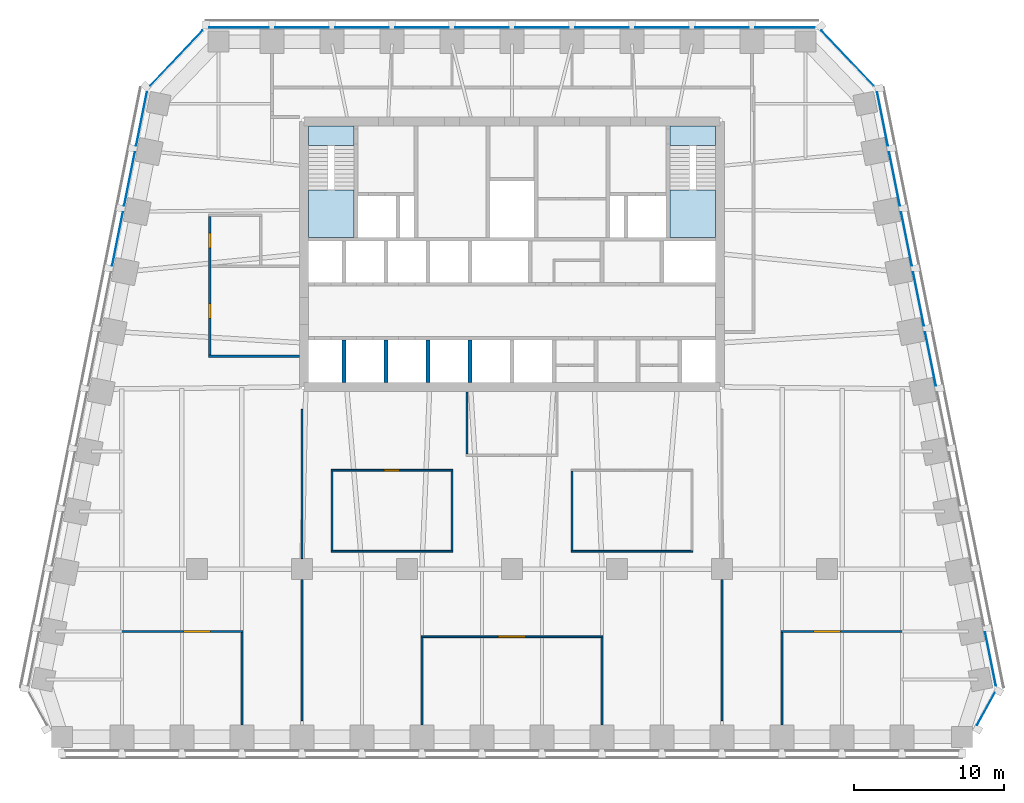
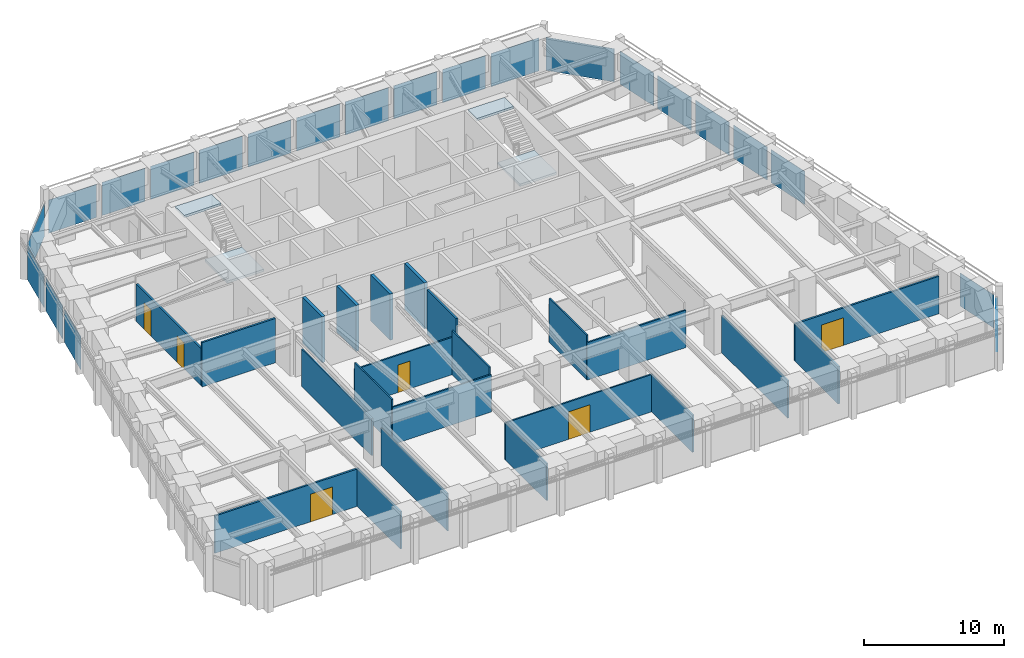
# One storey, part 5 of 10: 23 walls, 22 plates, 6 doors, 4 slabs, 6 openings, 8 elements without a shape of their own.
"""IFC4 building model written with IfcOpenShell, lengths in metres."""

import ifcopenshell
import ifcopenshell.guid

model = None  # the IFC model being written
_history = None  # IfcOwnerHistory: only IFC2X3 demands one
_inside = {}  # id of a spatial element -> (the spatial element, [elements in it])
_under = {}  # id of a project, library or spatial element -> (it, [spatial elements below it])
_declared = {}  # id of a project -> (the project, [libraries it declares])
_typed = {}  # id of a type object -> (the type object, [elements of that type])
_made_of = {}  # id of a material, layer set ... -> (it, [elements and type objects made of it])


def new_model(schema):
    """Start an empty IFC model of exactly this schema.

    Asked for "IFC4X3", IfcOpenShell would pick the latest addendum, in which some entities
    have other attributes; the version numbers below select the first issue.
    IFC2X3 requires an IfcOwnerHistory on every rooted entity: one is made here for all.
    """
    global model, _history
    if schema == "IFC4X3":
        model = ifcopenshell.file(schema_version=(4, 3, 0, 0))
    else:
        model = ifcopenshell.file(schema=schema)
    _inside.clear()
    _under.clear()
    _declared.clear()
    _typed.clear()
    _made_of.clear()
    _history = None
    if model.schema == "IFC2X3":
        org = make("IfcOrganization", Name="unknown")
        user = make(
            "IfcPersonAndOrganization",
            ThePerson=make("IfcPerson", FamilyName="unknown"),
            TheOrganization=org,
        )
        app = make(
            "IfcApplication",
            ApplicationDeveloper=org,
            Version="unknown",
            ApplicationFullName="unknown",
            ApplicationIdentifier="unknown",
        )
        _history = make(
            "IfcOwnerHistory",
            OwningUser=user,
            OwningApplication=app,
            ChangeAction="ADDED",
            CreationDate=0,
        )
    return model


def make(cls, **values):
    """One entity of the class cls with the attributes given. An attribute that is None is left unset."""
    return model.create_entity(
        cls, **{name: value for name, value in values.items() if value is not None}
    )


def rooted(cls, **values):
    """An entity with a GlobalId (a new one), such as an element, a storey or a relation."""
    return make(cls, GlobalId=ifcopenshell.guid.new(), OwnerHistory=_history, **values)


def si_unit(unit_type, name, prefix=None):
    """IfcSIUnit, for example si_unit("LENGTHUNIT", "METRE", prefix="MILLI")."""
    return make("IfcSIUnit", UnitType=unit_type, Prefix=prefix, Name=name)


def assignment(units):
    """IfcUnitAssignment: the units of a project."""
    return None if units is None else make("IfcUnitAssignment", Units=units)


def point(xyz):
    """IfcCartesianPoint."""
    return None if xyz is None else make("IfcCartesianPoint", Coordinates=xyz)


def direction(xyz):
    """IfcDirection."""
    return None if xyz is None else make("IfcDirection", DirectionRatios=xyz)


def frame(location, z_axis=None, x_axis=None):
    """IfcAxis2Placement3D, a coordinate frame: its origin and axes. An axis left out is left unset."""
    return make(
        "IfcAxis2Placement3D",
        Location=point(location),
        Axis=direction(z_axis),
        RefDirection=direction(x_axis),
    )


def frame_2d(location, x_axis=None):
    """IfcAxis2Placement2D, a coordinate frame in the plane: its origin and x axis."""
    return make(
        "IfcAxis2Placement2D", Location=point(location), RefDirection=direction(x_axis)
    )


def origin():
    """The frame at (0, 0, 0) with its axes left unset."""
    return frame((0.0, 0.0, 0.0))


def origin_2d():
    """The frame at (0, 0) in the plane with its x axis left unset."""
    return frame_2d((0.0, 0.0))


def place(relative_to, where):
    """IfcLocalPlacement: puts the frame where relative to a parent placement (None: the world)."""
    return make(
        "IfcLocalPlacement", PlacementRelTo=relative_to, RelativePlacement=where
    )


def context(
    kind, dimensions, precision=None, world=None, true_north=None, identifier=None
):
    """IfcGeometricRepresentationContext, for example the 3D "Model" context."""
    return make(
        "IfcGeometricRepresentationContext",
        ContextIdentifier=identifier,
        ContextType=kind,
        CoordinateSpaceDimension=dimensions,
        Precision=precision,
        WorldCoordinateSystem=world,
        TrueNorth=true_north,
    )


def subcontext(parent, identifier, kind, view, scale=None):
    """IfcGeometricRepresentationSubContext, for example "Body" below "Model"."""
    return make(
        "IfcGeometricRepresentationSubContext",
        ContextIdentifier=identifier,
        ContextType=kind,
        ParentContext=parent,
        TargetScale=scale,
        TargetView=view,
    )


def project(units=None, contexts=None):
    """IfcProject with its units and contexts."""
    return rooted(
        "IfcProject",
        Name="project",
        RepresentationContexts=contexts,
        UnitsInContext=assignment(units),
    )


def spatial(cls, under=None, at=None, **own):
    """A site, building, storey or space (cls), placed at a placement, below another one or the project."""
    s = rooted(cls, ObjectPlacement=at, **own)
    if under is not None:
        _under.setdefault(under.id(), (under, []))[1].append(s)
    return s


def polyline(points):
    """IfcPolyline through the points."""
    return make("IfcPolyline", Points=[point(p) for p in points])


def profile(cls, at=None, kind="AREA", **sizes):
    """A parametric profile (cls). Its sizes go by their IFC names, for example OverallWidth=200.0."""
    return make(cls, ProfileType=kind, Position=at, **sizes)


def rectangle(**sizes):
    """IfcRectangleProfileDef."""
    return profile("IfcRectangleProfileDef", **sizes)


def outline(outer, holes=None, kind="AREA"):
    """IfcArbitraryClosedProfileDef: a profile drawn as a closed curve; with holes, ...WithVoids."""
    if holes is None:
        return make("IfcArbitraryClosedProfileDef", ProfileType=kind, OuterCurve=outer)
    return make(
        "IfcArbitraryProfileDefWithVoids",
        ProfileType=kind,
        OuterCurve=outer,
        InnerCurves=holes,
    )


def extrude(swept, where, along, depth):
    """IfcExtrudedAreaSolid: the profile swept, set in the frame where, extruded along a direction by depth."""
    return make(
        "IfcExtrudedAreaSolid",
        SweptArea=swept,
        Position=where,
        ExtrudedDirection=direction(along),
        Depth=depth,
    )


def shape(context_of_items, identifier, shape_type, items):
    """IfcShapeRepresentation: the items that make up one representation, for example the "Body"."""
    return make(
        "IfcShapeRepresentation",
        ContextOfItems=context_of_items,
        RepresentationIdentifier=identifier,
        RepresentationType=shape_type,
        Items=items,
    )


def material(Name=None, Category=None):
    """IfcMaterial."""
    return make("IfcMaterial", Name=Name, Category=Category)


def layer(
    of_material, thickness, ventilated=None, Name=None, Category=None, Priority=None
):
    """IfcMaterialLayer: one layer of a wall or slab, of a material (None: an air gap)."""
    return make(
        "IfcMaterialLayer",
        Material=of_material,
        LayerThickness=thickness,
        IsVentilated=ventilated,
        Name=Name,
        Category=Category,
        Priority=Priority,
    )


def layer_set(layers, Name=None):
    """IfcMaterialLayerSet."""
    return make("IfcMaterialLayerSet", MaterialLayers=layers, LayerSetName=Name)


def made_of(thing, what):
    """Note that an element or type object is made of a material, layer set ...; save() writes the relation."""
    if what is not None:
        _made_of.setdefault(what.id(), (what, []))[1].append(thing)
    return thing


def type_object(cls, material=None, **own):
    """A type object (cls), such as IfcWallType, which elements share."""
    return made_of(rooted(cls, **own), material)


def element(
    cls,
    number,
    at=None,
    inside=None,
    cuts=None,
    type_object=None,
    material=None,
    context=None,
    identifier="Body",
    shape_type=None,
    held_by="IfcProductDefinitionShape",
    body=None,
    shapes=None,
    **own,
):
    """One element of the class cls, such as IfcWall. Its Tag is "e" and its number.

    at: its placement. inside: the storey or other place that contains it. cuts: it is an
    opening in that element (IfcRelVoidsElement). A single representation is given by context,
    identifier, shape_type and body (its items); several are given by shapes. held_by: the class
    of the entity that holds the representations. save() writes the other relations.
    """
    e = rooted(cls, Tag="e%d" % number, ObjectPlacement=at, **own)
    if body is not None:
        shapes = [shape(context, identifier, shape_type, body)]
    if shapes is not None:
        e.Representation = make(held_by, Representations=shapes)
    if inside is not None:
        _inside.setdefault(inside.id(), (inside, []))[1].append(e)
    if cuts is not None:
        rooted(
            "IfcRelVoidsElement", RelatingBuildingElement=cuts, RelatedOpeningElement=e
        )
    if type_object is not None:
        _typed.setdefault(type_object.id(), (type_object, []))[1].append(e)
    return made_of(e, material)


def fill(opening, filler):
    """IfcRelFillsElement: the door or window that sits in an opening."""
    return rooted(
        "IfcRelFillsElement",
        RelatingOpeningElement=opening,
        RelatedBuildingElement=filler,
    )


def aggregate(whole, parts):
    """IfcRelAggregates: a whole, such as a stair, and the parts it consists of."""
    return rooted("IfcRelAggregates", RelatingObject=whole, RelatedObjects=parts)


def save(model, path):
    """Write the relations noted so far, then the file.

    IfcRelAggregates (storeys below a building ...), IfcRelContainedInSpatialStructure (elements
    in a storey), IfcRelDefinesByType, IfcRelAssociatesMaterial and IfcRelDeclares: one each for
    every whole, place, type object, material and project.
    """
    for whole, parts in _under.values():
        aggregate(whole, parts)
    for where, things in _inside.values():
        rooted(
            "IfcRelContainedInSpatialStructure",
            RelatedElements=things,
            RelatingStructure=where,
        )
    for kind, things in _typed.values():
        rooted("IfcRelDefinesByType", RelatedObjects=things, RelatingType=kind)
    for what, things in _made_of.values():
        rooted("IfcRelAssociatesMaterial", RelatedObjects=things, RelatingMaterial=what)
    for by, libraries in _declared.values():
        rooted("IfcRelDeclares", RelatingContext=by, RelatedDefinitions=libraries)
    model.write(path)


model = new_model("IFC4")

# Units and contexts
model_context = context("Model", 3, precision=1e-05, world=origin(), true_north=direction((0.0, 1.0)))
body_context = subcontext(model_context, "Body", "Model", "MODEL_VIEW")
ifc_project = project(units=[si_unit("LENGTHUNIT", "METRE"), si_unit("AREAUNIT", "SQUARE_METRE"), si_unit("VOLUMEUNIT", "CUBIC_METRE"), si_unit("PLANEANGLEUNIT", "RADIAN"), si_unit("MASSUNIT", "GRAM", prefix="KILO")], contexts=[model_context])

# Site, building, storey
site_placement = place(None, origin())
site = spatial("IfcSite", under=ifc_project, at=site_placement, CompositionType="ELEMENT")
building_placement = place(site_placement, origin())
building = spatial("IfcBuilding", under=site, at=building_placement, Name="Isbrekke Arena Tower", CompositionType="ELEMENT")
storey_placement = place(building_placement, frame((0.0, 0.0, 234.0)))
storey = spatial("IfcBuildingStorey", under=building, at=storey_placement, Name="L54", CompositionType="ELEMENT", Elevation=234.0)

# Curtain wall, plate
ifc_material_1 = material(Name="Glazed aluminium curtain wall", Category="aluminium")
curtain_wall_type = type_object("IfcCurtainWallType", Name="CWH TOWER CURTAIN WALL HIGH ZONE", PredefinedType="USERDEFINED", material=ifc_material_1)
curtain_wall_1_placement = place(storey_placement, origin())
curtain_wall_1 = element("IfcCurtainWall", 1, at=curtain_wall_1_placement, inside=storey, type_object=curtain_wall_type, Name="CWH curtain wall L54-SE", ObjectType="TOWER CURTAIN WALL HIGH ZONE", PredefinedType="USERDEFINED")
ifc_material_2 = material(Name="Triple-glazed clear glass unit", Category="glass")
ifc_layer_1 = layer(ifc_material_2, 0.031982421875)
ifc_layer_set_1 = layer_set([ifc_layer_1], Name="CWH-P VISION PANEL")
plate_type = type_object("IfcPlateType", Name="CWH-P VISION PANEL", PredefinedType="CURTAIN_PANEL", material=ifc_layer_set_1)
plate_1_placement = place(storey_placement, frame((31.5908203125, -15.3154296875, 0.02001953125), z_axis=(0.0, 0.0, 1.0), x_axis=(0.481918749773, 0.876215908676, 0.0)))
plate_1 = element("IfcPlate", 2, at=plate_1_placement, type_object=plate_type, Name="CWH-P panel 1", PredefinedType="CURTAIN_PANEL", context=body_context, shape_type="SweptSolid", body=[
    extrude(rectangle(XDim=2.4423828125, YDim=0.031982421875, at=origin_2d()), origin(), (0.0, 0.0, 1.0), 2.8798828125),
])
aggregate(curtain_wall_1, [plate_1])

# Curtain wall, plates
curtain_wall_2_placement = place(storey_placement, origin())
curtain_wall_2 = element("IfcCurtainWall", 3, at=curtain_wall_2_placement, inside=storey, type_object=curtain_wall_type, Name="CWH curtain wall L54-E", ObjectType="TOWER CURTAIN WALL HIGH ZONE", PredefinedType="USERDEFINED")
plate_2_placement = place(storey_placement, frame((31.89794921875, -11.98046875, 0.02001953125), z_axis=(0.0, 0.0, 1.0), x_axis=(-0.196116135138, 0.980580675691, 0.0)))
plate_2 = element("IfcPlate", 4, at=plate_2_placement, type_object=plate_type, Name="CWH-P panel 1", PredefinedType="CURTAIN_PANEL", context=body_context, shape_type="SweptSolid", body=[
    extrude(rectangle(XDim=3.629150390625, YDim=0.031982421875, at=origin_2d()), origin(), (0.0, 0.0, 1.0), 2.8798828125),
])
plate_3_placement = place(storey_placement, frame((27.89794921875, 8.01953125, 0.02001953125), z_axis=(0.0, 0.0, 1.0), x_axis=(-0.196116135138, 0.980580675691, 0.0)))
plate_3 = element("IfcPlate", 5, at=plate_3_placement, type_object=plate_type, Name="CWH-P panel 6", PredefinedType="CURTAIN_PANEL", context=body_context, shape_type="SweptSolid", body=[
    extrude(rectangle(XDim=3.629150390625, YDim=0.031982421875, at=origin_2d()), origin(), (0.0, 0.0, 1.0), 2.8798828125),
])
plate_4_placement = place(storey_placement, frame((27.09814453125, 12.01953125, 0.02001953125), z_axis=(0.0, 0.0, 1.0), x_axis=(-0.196116135138, 0.980580675691, 0.0)))
plate_4 = element("IfcPlate", 6, at=plate_4_placement, type_object=plate_type, Name="CWH-P panel 7", PredefinedType="CURTAIN_PANEL", context=body_context, shape_type="SweptSolid", body=[
    extrude(rectangle(XDim=3.629150390625, YDim=0.031982421875, at=origin_2d()), origin(), (0.0, 0.0, 1.0), 2.8798828125),
])
plate_5_placement = place(storey_placement, frame((26.298095703125, 16.01953125, 0.02001953125), z_axis=(0.0, 0.0, 1.0), x_axis=(-0.196116135138, 0.980580675691, 0.0)))
plate_5 = element("IfcPlate", 7, at=plate_5_placement, type_object=plate_type, Name="CWH-P panel 8", PredefinedType="CURTAIN_PANEL", context=body_context, shape_type="SweptSolid", body=[
    extrude(rectangle(XDim=3.629150390625, YDim=0.031982421875, at=origin_2d()), origin(), (0.0, 0.0, 1.0), 2.8798828125),
])
plate_6_placement = place(storey_placement, frame((25.498046875, 20.01953125, 0.02001953125), z_axis=(0.0, 0.0, 1.0), x_axis=(-0.196116135138, 0.980580675691, 0.0)))
plate_6 = element("IfcPlate", 8, at=plate_6_placement, type_object=plate_type, Name="CWH-P panel 9", PredefinedType="CURTAIN_PANEL", context=body_context, shape_type="SweptSolid", body=[
    extrude(rectangle(XDim=3.629150390625, YDim=0.031982421875, at=origin_2d()), origin(), (0.0, 0.0, 1.0), 2.8798828125),
])
plate_7_placement = place(storey_placement, frame((24.697998046875, 24.01953125, 0.02001953125), z_axis=(0.0, 0.0, 1.0), x_axis=(-0.196116135138, 0.980580675691, 0.0)))
plate_7 = element("IfcPlate", 9, at=plate_7_placement, type_object=plate_type, Name="CWH-P panel 10", PredefinedType="CURTAIN_PANEL", context=body_context, shape_type="SweptSolid", body=[
    extrude(rectangle(XDim=3.629150390625, YDim=0.031982421875, at=origin_2d()), origin(), (0.0, 0.0, 1.0), 2.8798828125),
])
aggregate(curtain_wall_2, [plate_2, plate_3, plate_4, plate_5, plate_6, plate_7])

# Curtain wall, plate
curtain_wall_3_placement = place(storey_placement, origin())
curtain_wall_3 = element("IfcCurtainWall", 10, at=curtain_wall_3_placement, inside=storey, type_object=curtain_wall_type, Name="CWH curtain wall L54-EN", ObjectType="TOWER CURTAIN WALL HIGH ZONE", PredefinedType="USERDEFINED")
plate_8_placement = place(storey_placement, frame((22.37255859375, 28.06884765625, 0.02001953125), z_axis=(0.0, 0.0, 1.0), x_axis=(-0.68874946192, 0.72499943359, 0.0)))
plate_8 = element("IfcPlate", 11, at=plate_8_placement, type_object=plate_type, Name="CWH-P panel 1", PredefinedType="CURTAIN_PANEL", context=body_context, shape_type="SweptSolid", body=[
    extrude(rectangle(XDim=5.067138671875, YDim=0.031982421875, at=origin_2d()), origin(), (0.0, 0.0, 1.0), 2.8798828125),
])
aggregate(curtain_wall_3, [plate_8])

# Curtain wall, plates
curtain_wall_4_placement = place(storey_placement, origin())
curtain_wall_4 = element("IfcCurtainWall", 12, at=curtain_wall_4_placement, inside=storey, type_object=curtain_wall_type, Name="CWH curtain wall L54-N", ObjectType="TOWER CURTAIN WALL HIGH ZONE", PredefinedType="USERDEFINED")
plate_9_placement = place(storey_placement, frame((18.199951171875, 30.10009765625, 0.02001953125), z_axis=(0.0, 0.0, 1.0), x_axis=(-1.0, 0.0, 0.0)))
plate_9 = element("IfcPlate", 13, at=plate_9_placement, type_object=plate_type, Name="CWH-P panel 1", PredefinedType="CURTAIN_PANEL", context=body_context, shape_type="SweptSolid", body=[
    extrude(rectangle(XDim=3.949951171875, YDim=0.031982421875, at=origin_2d()), origin(), (0.0, 0.0, 1.0), 2.8798828125),
])
plate_10_placement = place(storey_placement, frame((14.0, 30.10009765625, 0.02001953125), z_axis=(0.0, 0.0, 1.0), x_axis=(-1.0, 0.0, 0.0)))
plate_10 = element("IfcPlate", 14, at=plate_10_placement, type_object=plate_type, Name="CWH-P panel 2", PredefinedType="CURTAIN_PANEL", context=body_context, shape_type="SweptSolid", body=[
    extrude(rectangle(XDim=3.550048828125, YDim=0.031982421875, at=origin_2d()), origin(), (0.0, 0.0, 1.0), 2.8798828125),
])
plate_11_placement = place(storey_placement, frame((10.0, 30.10009765625, 0.02001953125), z_axis=(0.0, 0.0, 1.0), x_axis=(-1.0, 0.0, 0.0)))
plate_11 = element("IfcPlate", 15, at=plate_11_placement, type_object=plate_type, Name="CWH-P panel 3", PredefinedType="CURTAIN_PANEL", context=body_context, shape_type="SweptSolid", body=[
    extrude(rectangle(XDim=3.550048828125, YDim=0.031982421875, at=origin_2d()), origin(), (0.0, 0.0, 1.0), 2.8798828125),
])
plate_12_placement = place(storey_placement, frame((6.0, 30.10009765625, 0.02001953125), z_axis=(0.0, 0.0, 1.0), x_axis=(-1.0, 0.0, 0.0)))
plate_12 = element("IfcPlate", 16, at=plate_12_placement, type_object=plate_type, Name="CWH-P panel 4", PredefinedType="CURTAIN_PANEL", context=body_context, shape_type="SweptSolid", body=[
    extrude(rectangle(XDim=3.550048828125, YDim=0.031982421875, at=origin_2d()), origin(), (0.0, 0.0, 1.0), 2.8798828125),
])
plate_13_placement = place(storey_placement, frame((2.0, 30.10009765625, 0.02001953125), z_axis=(0.0, 0.0, 1.0), x_axis=(-1.0, 0.0, 0.0)))
plate_13 = element("IfcPlate", 17, at=plate_13_placement, type_object=plate_type, Name="CWH-P panel 5", PredefinedType="CURTAIN_PANEL", context=body_context, shape_type="SweptSolid", body=[
    extrude(rectangle(XDim=3.550048828125, YDim=0.031982421875, at=origin_2d()), origin(), (0.0, 0.0, 1.0), 2.8798828125),
])
plate_14_placement = place(storey_placement, frame((-2.0, 30.10009765625, 0.02001953125), z_axis=(0.0, 0.0, 1.0), x_axis=(-1.0, 0.0, 0.0)))
plate_14 = element("IfcPlate", 18, at=plate_14_placement, type_object=plate_type, Name="CWH-P panel 6", PredefinedType="CURTAIN_PANEL", context=body_context, shape_type="SweptSolid", body=[
    extrude(rectangle(XDim=3.550048828125, YDim=0.031982421875, at=origin_2d()), origin(), (0.0, 0.0, 1.0), 2.8798828125),
])
plate_15_placement = place(storey_placement, frame((-6.0, 30.10009765625, 0.02001953125), z_axis=(0.0, 0.0, 1.0), x_axis=(-1.0, 0.0, 0.0)))
plate_15 = element("IfcPlate", 19, at=plate_15_placement, type_object=plate_type, Name="CWH-P panel 7", PredefinedType="CURTAIN_PANEL", context=body_context, shape_type="SweptSolid", body=[
    extrude(rectangle(XDim=3.550048828125, YDim=0.031982421875, at=origin_2d()), origin(), (0.0, 0.0, 1.0), 2.8798828125),
])
plate_16_placement = place(storey_placement, frame((-10.0, 30.10009765625, 0.02001953125), z_axis=(0.0, 0.0, 1.0), x_axis=(-1.0, 0.0, 0.0)))
plate_16 = element("IfcPlate", 20, at=plate_16_placement, type_object=plate_type, Name="CWH-P panel 8", PredefinedType="CURTAIN_PANEL", context=body_context, shape_type="SweptSolid", body=[
    extrude(rectangle(XDim=3.550048828125, YDim=0.031982421875, at=origin_2d()), origin(), (0.0, 0.0, 1.0), 2.8798828125),
])
plate_17_placement = place(storey_placement, frame((-14.0, 30.10009765625, 0.02001953125), z_axis=(0.0, 0.0, 1.0), x_axis=(-1.0, 0.0, 0.0)))
plate_17 = element("IfcPlate", 21, at=plate_17_placement, type_object=plate_type, Name="CWH-P panel 9", PredefinedType="CURTAIN_PANEL", context=body_context, shape_type="SweptSolid", body=[
    extrude(rectangle(XDim=3.550048828125, YDim=0.031982421875, at=origin_2d()), origin(), (0.0, 0.0, 1.0), 2.8798828125),
])
plate_18_placement = place(storey_placement, frame((-18.199951171875, 30.10009765625, 0.02001953125), z_axis=(0.0, 0.0, 1.0), x_axis=(-1.0, 0.0, 0.0)))
plate_18 = element("IfcPlate", 22, at=plate_18_placement, type_object=plate_type, Name="CWH-P panel 10", PredefinedType="CURTAIN_PANEL", context=body_context, shape_type="SweptSolid", body=[
    extrude(rectangle(XDim=3.949951171875, YDim=0.031982421875, at=origin_2d()), origin(), (0.0, 0.0, 1.0), 2.8798828125),
])
aggregate(curtain_wall_4, [plate_9, plate_10, plate_11, plate_12, plate_13, plate_14, plate_15, plate_16, plate_17, plate_18])

# Curtain wall, plate
curtain_wall_5_placement = place(storey_placement, origin())
curtain_wall_5 = element("IfcCurtainWall", 23, at=curtain_wall_5_placement, inside=storey, type_object=curtain_wall_type, Name="CWH curtain wall L54-NW", ObjectType="TOWER CURTAIN WALL HIGH ZONE", PredefinedType="USERDEFINED")
plate_19_placement = place(storey_placement, frame((-22.37255859375, 28.06884765625, 0.02001953125), z_axis=(0.0, 0.0, 1.0), x_axis=(-0.68874946192, -0.72499943359, 0.0)))
plate_19 = element("IfcPlate", 24, at=plate_19_placement, type_object=plate_type, Name="CWH-P panel 1", PredefinedType="CURTAIN_PANEL", context=body_context, shape_type="SweptSolid", body=[
    extrude(rectangle(XDim=5.067138671875, YDim=0.031982421875, at=origin_2d()), origin(), (0.0, 0.0, 1.0), 2.8798828125),
])
aggregate(curtain_wall_5, [plate_19])

# Curtain wall, plates
curtain_wall_6_placement = place(storey_placement, origin())
curtain_wall_6 = element("IfcCurtainWall", 25, at=curtain_wall_6_placement, inside=storey, type_object=curtain_wall_type, Name="CWH curtain wall L54-W", ObjectType="TOWER CURTAIN WALL HIGH ZONE", PredefinedType="USERDEFINED")
plate_20_placement = place(storey_placement, frame((-24.697998046875, 24.01953125, 0.02001953125), z_axis=(0.0, 0.0, 1.0), x_axis=(-0.196116135138, -0.980580675691, 0.0)))
plate_20 = element("IfcPlate", 26, at=plate_20_placement, type_object=plate_type, Name="CWH-P panel 1", PredefinedType="CURTAIN_PANEL", context=body_context, shape_type="SweptSolid", body=[
    extrude(rectangle(XDim=3.629150390625, YDim=0.031982421875, at=origin_2d()), origin(), (0.0, 0.0, 1.0), 2.8798828125),
])
plate_21_placement = place(storey_placement, frame((-25.498046875, 20.01953125, 0.02001953125), z_axis=(0.0, 0.0, 1.0), x_axis=(-0.196116135138, -0.980580675691, 0.0)))
plate_21 = element("IfcPlate", 27, at=plate_21_placement, type_object=plate_type, Name="CWH-P panel 2", PredefinedType="CURTAIN_PANEL", context=body_context, shape_type="SweptSolid", body=[
    extrude(rectangle(XDim=3.629150390625, YDim=0.031982421875, at=origin_2d()), origin(), (0.0, 0.0, 1.0), 2.8798828125),
])
plate_22_placement = place(storey_placement, frame((-26.298095703125, 16.01953125, 0.02001953125), z_axis=(0.0, 0.0, 1.0), x_axis=(-0.196116135138, -0.980580675691, 0.0)))
plate_22 = element("IfcPlate", 28, at=plate_22_placement, type_object=plate_type, Name="CWH-P panel 3", PredefinedType="CURTAIN_PANEL", context=body_context, shape_type="SweptSolid", body=[
    extrude(rectangle(XDim=3.629150390625, YDim=0.031982421875, at=origin_2d()), origin(), (0.0, 0.0, 1.0), 2.8798828125),
])
aggregate(curtain_wall_6, [plate_20, plate_21, plate_22])

# Stair, slabs
ifc_material_3 = material(Name="Concrete B45 (C45/55) precast", Category="concrete")
stair_type = type_object("IfcStairType", Name="ST40 STAIR 1300 WIDE, 24 RISERS 167", PredefinedType="HALF_TURN_STAIR", material=ifc_material_3)
stair_1_placement = place(storey_placement, origin())
stair_1 = element("IfcStair", 29, at=stair_1_placement, inside=storey, type_object=stair_type, Name="ST1 stair L54", PredefinedType="HALF_TURN_STAIR")
ifc_material_4 = material(Name="Concrete B35 (C35/45)", Category="concrete")
ifc_layer_2 = layer(ifc_material_4, 0.199951171875)
ifc_layer_set_2 = layer_set([ifc_layer_2], Name="SL1 STAIR LANDING 200")
slab_type = type_object("IfcSlabType", Name="SL1 STAIR LANDING 200", PredefinedType="LANDING", material=ifc_layer_set_2)
slab_1_placement = place(storey_placement, frame((0.0, 0.0, 1.800048828125)))
slab_1 = element("IfcSlab", 30, at=slab_1_placement, type_object=slab_type, Name="ST1 landing 1", PredefinedType="LANDING", context=body_context, shape_type="SweptSolid", body=[
    extrude(outline(polyline([(-13.550048828125, 16.125), (-10.52490234375, 16.125), (-10.52490234375, 19.280029296875), (-13.550048828125, 19.280029296875), (-13.550048828125, 16.125)])), origin(), (0.0, 0.0, 1.0), 0.199951171875),
])
slab_2_placement = place(storey_placement, frame((0.0, 0.0, 3.800048828125)))
slab_2 = element("IfcSlab", 31, at=slab_2_placement, type_object=slab_type, Name="ST1 landing 2", PredefinedType="LANDING", context=body_context, shape_type="SweptSolid", body=[
    extrude(outline(polyline([(-13.550048828125, 22.25), (-10.52490234375, 22.25), (-10.52490234375, 23.550048828125), (-13.550048828125, 23.550048828125), (-13.550048828125, 22.25)])), origin(), (0.0, 0.0, 1.0), 0.199951171875),
])
aggregate(stair_1, [slab_1, slab_2])

stair_2_placement = place(storey_placement, origin())
stair_2 = element("IfcStair", 32, at=stair_2_placement, inside=storey, type_object=stair_type, Name="ST2 stair L54", PredefinedType="HALF_TURN_STAIR")
slab_3_placement = place(storey_placement, frame((0.0, 0.0, 1.800048828125)))
slab_3 = element("IfcSlab", 33, at=slab_3_placement, type_object=slab_type, Name="ST2 landing 1", PredefinedType="LANDING", context=body_context, shape_type="SweptSolid", body=[
    extrude(outline(polyline([(10.52490234375, 16.125), (13.550048828125, 16.125), (13.550048828125, 19.280029296875), (10.52490234375, 19.280029296875), (10.52490234375, 16.125)])), origin(), (0.0, 0.0, 1.0), 0.199951171875),
])
slab_4_placement = place(storey_placement, frame((0.0, 0.0, 3.800048828125)))
slab_4 = element("IfcSlab", 34, at=slab_4_placement, type_object=slab_type, Name="ST2 landing 2", PredefinedType="LANDING", context=body_context, shape_type="SweptSolid", body=[
    extrude(outline(polyline([(10.52490234375, 22.25), (13.550048828125, 22.25), (13.550048828125, 23.550048828125), (10.52490234375, 23.550048828125), (10.52490234375, 22.25)])), origin(), (0.0, 0.0, 1.0), 0.199951171875),
])
aggregate(stair_2, [slab_3, slab_4])

# Walls
ifc_material_5 = material(Name="Concrete B45 (C45/55)", Category="concrete")
ifc_layer_3 = layer(ifc_material_5, 0.25)
ifc_layer_set_3 = layer_set([ifc_layer_3], Name="CW6 SHAFT WALL 250")
wall_type_1 = type_object("IfcWallType", Name="CW6 SHAFT WALL 250", PredefinedType="SHEAR", material=ifc_layer_set_3)
for number, where, z_axis, x_axis, name in (
    (35, (-11.199951171875, 6.449951171875, 0.0), (0.0, 0.0, 1.0), (0.0, 1.0, 0.0), "Core wall SS01 L54"),
    (36, (-8.39990234375, 6.449951171875, 0.0), (0.0, 0.0, 1.0), (0.0, 1.0, 0.0), "Core wall SS02 L54"),
    (37, (-5.60009765625, 6.449951171875, 0.0), (0.0, 0.0, 1.0), (0.0, 1.0, 0.0), "Core wall SS03 L54"),
    (38, (-2.800048828125, 6.449951171875, 0.0), (0.0, 0.0, 1.0), (0.0, 1.0, 0.0), "Core wall SS04 L54"),
):
    element("IfcWall", number, at=place(storey_placement, frame(where, z_axis=z_axis, x_axis=x_axis)), inside=storey, type_object=wall_type_1, Name=name, PredefinedType="SHEAR", context=body_context, shape_type="SweptSolid", body=[
        extrude(rectangle(XDim=2.824951171875, YDim=0.25, at=frame_2d((1.41259765625, 0.0))), origin(), (0.0, 0.0, 1.0), 4.0),
    ])

# Wall, opening, door
ifc_material_6 = material(Name="Gypsum board partition on steel studs", Category="steel")
ifc_layer_4 = layer(ifc_material_6, 0.14990234375)
ifc_layer_set_4 = layer_set([ifc_layer_4], Name="IW1 PARTITION 150")
wall_type_2 = type_object("IfcWallType", Name="IW1 PARTITION 150", PredefinedType="PARTITIONING", material=ifc_layer_set_4)
wall_1_placement = place(storey_placement, frame((-29.77490234375, -10.159912109375, 0.0), z_axis=(0.0, 0.0, 1.0), x_axis=(1.0, 0.0, 0.0)))
wall_1 = element("IfcWall", 39, at=wall_1_placement, inside=storey, type_object=wall_type_2, Name="IW1 partition 150 L54", PredefinedType="PARTITIONING", context=body_context, shape_type="SweptSolid", body=[
    extrude(rectangle(XDim=11.849853515625, YDim=0.14990234375, at=frame_2d((5.9248046875, 0.0))), origin(), (0.0, 0.0, 1.0), 3.25),
])
opening_1_placement = place(wall_1_placement, frame((7.874755859375, 0.0, 0.0)))
opening_1 = element("IfcOpeningElement", 40, at=opening_1_placement, cuts=wall_1, Name="Opening D13", PredefinedType="OPENING", context=body_context, shape_type="SweptSolid", body=[
    extrude(rectangle(XDim=1.800048828125, YDim=2.39990234375, at=frame_2d((0.89990234375, 1.199951171875))), frame((0.0, 0.08984375, 0.0), z_axis=(0.0, -1.0, 0.0), x_axis=(1.0, 0.0, 0.0)), (0.0, 0.0, 1.0), 0.1796875),
])
ifc_material_7 = material(Name="Timber door pair", Category="wood")
door_type_1 = type_object("IfcDoorType", Name="D13 DOUBLE ROOM DOOR 1800 x 2400", OperationType="DOUBLE_DOOR_SINGLE_SWING", PredefinedType="DOOR", material=ifc_material_7)
door_1_placement = place(opening_1_placement, origin())
door_1 = element("IfcDoor", 41, at=door_1_placement, inside=storey, type_object=door_type_1, Name="D13 executive office door L54", OperationType="DOUBLE_DOOR_SINGLE_SWING", OverallHeight=2.39990234375, OverallWidth=1.800048828125, PredefinedType="DOOR", context=body_context, shape_type="SweptSolid", body=[
    extrude(rectangle(XDim=1.800048828125, YDim=2.39990234375, at=frame_2d((0.89990234375, 1.199951171875))), frame((0.0, 0.07470703125, 0.0), z_axis=(0.0, -1.0, 0.0), x_axis=(1.0, 0.0, 0.0)), (0.0, 0.0, 1.0), 0.1494140625),
])
fill(opening_1, door_1)

wall_2_placement = place(storey_placement, frame((17.925048828125, -10.159912109375, 0.0), z_axis=(0.0, 0.0, 1.0), x_axis=(1.0, 0.0, 0.0)))
wall_2 = element("IfcWall", 42, at=wall_2_placement, inside=storey, type_object=wall_type_2, Name="IW1 partition 150 L54", PredefinedType="PARTITIONING", context=body_context, shape_type="SweptSolid", body=[
    extrude(rectangle(XDim=11.849853515625, YDim=0.14990234375, at=frame_2d((5.9248046875, 0.0))), origin(), (0.0, 0.0, 1.0), 3.25),
])
opening_2_placement = place(wall_2_placement, frame((2.175048828125, 0.0, 0.0)))
opening_2 = element("IfcOpeningElement", 43, at=opening_2_placement, cuts=wall_2, Name="Opening D13", PredefinedType="OPENING", context=body_context, shape_type="SweptSolid", body=[
    extrude(rectangle(XDim=1.800048828125, YDim=2.39990234375, at=frame_2d((0.89990234375, 1.199951171875))), frame((0.0, 0.08984375, 0.0), z_axis=(0.0, -1.0, 0.0), x_axis=(1.0, 0.0, 0.0)), (0.0, 0.0, 1.0), 0.1796875),
])
door_2_placement = place(opening_2_placement, origin())
door_2 = element("IfcDoor", 44, at=door_2_placement, inside=storey, type_object=door_type_1, Name="D13 executive office door L54", OperationType="DOUBLE_DOOR_SINGLE_SWING", OverallHeight=2.39990234375, OverallWidth=1.800048828125, PredefinedType="DOOR", context=body_context, shape_type="SweptSolid", body=[
    extrude(rectangle(XDim=1.800048828125, YDim=2.39990234375, at=frame_2d((0.89990234375, 1.199951171875))), frame((0.0, 0.07470703125, 0.0), z_axis=(0.0, -1.0, 0.0), x_axis=(1.0, 0.0, 0.0)), (0.0, 0.0, 1.0), 0.1494140625),
])
fill(opening_2, door_2)

# Wall
wall_3_placement = place(storey_placement, frame((-20.22509765625, 8.199951171875, 0.0), z_axis=(0.0, 0.0, 1.0), x_axis=(1.0, 0.0, 0.0)))
element("IfcWall", 45, at=wall_3_placement, inside=storey, type_object=wall_type_2, Name="IW1 partition 150 L54", PredefinedType="PARTITIONING", context=body_context, shape_type="SweptSolid", body=[
    extrude(rectangle(XDim=6.045166015625, YDim=0.14990234375, at=frame_2d((3.0224609375, 0.0))), origin(), (0.0, 0.0, 1.0), 3.85009765625),
])

# Wall, openings, doors
wall_4_placement = place(storey_placement, frame((-20.14990234375, 8.27490234375, 0.0), z_axis=(0.0, 0.0, 1.0), x_axis=(0.0, 1.0, 0.0)))
wall_4 = element("IfcWall", 46, at=wall_4_placement, inside=storey, type_object=wall_type_2, Name="IW1 partition 150 L54", PredefinedType="PARTITIONING", context=body_context, shape_type="SweptSolid", body=[
    extrude(rectangle(XDim=9.25, YDim=0.14990234375, at=frame_2d((4.625, 0.0))), origin(), (0.0, 0.0, 1.0), 3.25),
])
opening_3_placement = place(wall_4_placement, frame((2.425048828125, 0.0, 0.0)))
opening_3 = element("IfcOpeningElement", 47, at=opening_3_placement, cuts=wall_4, Name="Opening D10", PredefinedType="OPENING", context=body_context, shape_type="SweptSolid", body=[
    extrude(rectangle(XDim=1.0, YDim=2.300048828125, at=frame_2d((0.5, 1.14990234375))), frame((0.0, 0.08984375, 0.0), z_axis=(0.0, -1.0, 0.0), x_axis=(1.0, 0.0, 0.0)), (0.0, 0.0, 1.0), 0.1796875),
])
opening_4_placement = place(wall_4_placement, frame((7.125, 0.0, 0.0)))
opening_4 = element("IfcOpeningElement", 48, at=opening_4_placement, cuts=wall_4, Name="Opening D10", PredefinedType="OPENING", context=body_context, shape_type="SweptSolid", body=[
    extrude(rectangle(XDim=1.0, YDim=2.300048828125, at=frame_2d((0.5, 1.14990234375))), frame((0.0, 0.08984375, 0.0), z_axis=(0.0, -1.0, 0.0), x_axis=(1.0, 0.0, 0.0)), (0.0, 0.0, 1.0), 0.1796875),
])
ifc_material_8 = material(Name="Timber door", Category="wood")
door_type_2 = type_object("IfcDoorType", Name="D10 OFFICE DOOR 1000 x 2300", OperationType="SINGLE_SWING_LEFT", PredefinedType="DOOR", material=ifc_material_8)
door_3_placement = place(opening_3_placement, origin())
door_3 = element("IfcDoor", 49, at=door_3_placement, inside=storey, type_object=door_type_2, Name="D10 reception door L54", OperationType="SINGLE_SWING_LEFT", OverallHeight=2.300048828125, OverallWidth=1.0, PredefinedType="DOOR", context=body_context, shape_type="SweptSolid", body=[
    extrude(rectangle(XDim=1.0, YDim=2.300048828125, at=frame_2d((0.5, 1.14990234375))), frame((0.0, 0.07470703125, 0.0), z_axis=(0.0, -1.0, 0.0), x_axis=(1.0, 0.0, 0.0)), (0.0, 0.0, 1.0), 0.1494140625),
])
fill(opening_3, door_3)
door_4_placement = place(opening_4_placement, origin())
door_4 = element("IfcDoor", 50, at=door_4_placement, inside=storey, type_object=door_type_2, Name="D10 cloakroom door L54", OperationType="SINGLE_SWING_LEFT", OverallHeight=2.300048828125, OverallWidth=1.0, PredefinedType="DOOR", context=body_context, shape_type="SweptSolid", body=[
    extrude(rectangle(XDim=1.0, YDim=2.300048828125, at=frame_2d((0.5, 1.14990234375))), frame((0.0, 0.07470703125, 0.0), z_axis=(0.0, -1.0, 0.0), x_axis=(1.0, 0.0, 0.0)), (0.0, 0.0, 1.0), 0.1494140625),
])
fill(opening_4, door_4)

# Walls
wall_5_placement = place(storey_placement, frame((-18.0, -16.375, 0.0), z_axis=(0.0, 0.0, 1.0), x_axis=(0.0, 1.0, 0.0)))
element("IfcWall", 51, at=wall_5_placement, inside=storey, type_object=wall_type_2, Name="IW1 partition 150 L54", PredefinedType="PARTITIONING", context=body_context, shape_type="SweptSolid", body=[
    extrude(rectangle(XDim=6.139892578125, YDim=0.14990234375, at=frame_2d((3.06982421875, 0.0))), origin(), (0.0, 0.0, 1.0), 3.25),
])
wall_6_placement = place(storey_placement, frame((-3.0, 1.675048828125, 0.0), z_axis=(0.0, 0.0, 1.0), x_axis=(0.0, 1.0, 0.0)))
element("IfcWall", 52, at=wall_6_placement, inside=storey, type_object=wall_type_2, Name="IW1 partition 150 L54", PredefinedType="PARTITIONING", context=body_context, shape_type="SweptSolid", body=[
    extrude(rectangle(XDim=4.14501953125, YDim=0.14990234375, at=frame_2d((2.072509765625, 0.0))), origin(), (0.0, 0.0, 1.0), 3.85009765625),
])
wall_7_placement = place(storey_placement, frame((18.0, -16.375, 0.0), z_axis=(0.0, 0.0, 1.0), x_axis=(0.0, 1.0, 0.0)))
element("IfcWall", 53, at=wall_7_placement, inside=storey, type_object=wall_type_2, Name="IW1 partition 150 L54", PredefinedType="PARTITIONING", context=body_context, shape_type="SweptSolid", body=[
    extrude(rectangle(XDim=6.139892578125, YDim=0.14990234375, at=frame_2d((3.06982421875, 0.0))), origin(), (0.0, 0.0, 1.0), 3.25),
])

# Wall, opening, door
ifc_material_9 = material(Name="Frameless glazed partition, laminated acoustic glass", Category="glass")
ifc_layer_5 = layer(ifc_material_9, 0.1201171875)
ifc_layer_set_5 = layer_set([ifc_layer_5], Name="IW2 GLAZED PARTITION 120")
wall_type_3 = type_object("IfcWallType", Name="IW2 GLAZED PARTITION 120", PredefinedType="PARTITIONING", material=ifc_layer_set_5)
wall_8_placement = place(storey_placement, frame((-6.06005859375, -10.5, 0.0), z_axis=(0.0, 0.0, 1.0), x_axis=(1.0, 0.0, 0.0)))
wall_8 = element("IfcWall", 54, at=wall_8_placement, inside=storey, type_object=wall_type_3, Name="IW2 glazed partition 120 L54", PredefinedType="PARTITIONING", context=body_context, shape_type="SweptSolid", body=[
    extrude(rectangle(XDim=12.1201171875, YDim=0.1201171875, at=frame_2d((6.06005859375, 0.0))), origin(), (0.0, 0.0, 1.0), 3.25),
])
opening_5_placement = place(wall_8_placement, frame((5.159912109375, 0.0, 0.0)))
opening_5 = element("IfcOpeningElement", 55, at=opening_5_placement, cuts=wall_8, Name="Opening D13", PredefinedType="OPENING", context=body_context, shape_type="SweptSolid", body=[
    extrude(rectangle(XDim=1.800048828125, YDim=2.39990234375, at=frame_2d((0.89990234375, 1.199951171875))), frame((0.0, 0.074951171875, 0.0), z_axis=(0.0, -1.0, 0.0), x_axis=(1.0, 0.0, 0.0)), (0.0, 0.0, 1.0), 0.14990234375),
])
door_5_placement = place(opening_5_placement, origin())
door_5 = element("IfcDoor", 56, at=door_5_placement, inside=storey, type_object=door_type_1, Name="D13 boardroom door L54", OperationType="DOUBLE_DOOR_SINGLE_SWING", OverallHeight=2.39990234375, OverallWidth=1.800048828125, PredefinedType="DOOR", context=body_context, shape_type="SweptSolid", body=[
    extrude(rectangle(XDim=1.800048828125, YDim=2.39990234375, at=frame_2d((0.89990234375, 1.199951171875))), frame((0.0, 0.059814453125, 0.0), z_axis=(0.0, -1.0, 0.0), x_axis=(1.0, 0.0, 0.0)), (0.0, 0.0, 1.0), 0.11962890625),
])
fill(opening_5, door_5)

# Walls
for number, where, z_axis, x_axis, name in (
    (57, (-12.06005859375, -4.800048828125, 0.0), (0.0, 0.0, 1.0), (1.0, 0.0, 0.0), "IW2 glazed partition 120 L54"),
    (58, (3.93994140625, -4.800048828125, 0.0), (0.0, 0.0, 1.0), (1.0, 0.0, 0.0), "IW2 glazed partition 120 L54"),
):
    element("IfcWall", number, at=place(storey_placement, frame(where, z_axis=z_axis, x_axis=x_axis)), inside=storey, type_object=wall_type_3, Name=name, PredefinedType="PARTITIONING", context=body_context, shape_type="SweptSolid", body=[
        extrude(rectangle(XDim=8.1201171875, YDim=0.1201171875, at=frame_2d((4.06005859375, 0.0))), origin(), (0.0, 0.0, 1.0), 3.25),
    ])

# Wall, opening, door
wall_9_placement = place(storey_placement, frame((-12.06005859375, 0.60009765625, 0.0), z_axis=(0.0, 0.0, 1.0), x_axis=(1.0, 0.0, 0.0)))
wall_9 = element("IfcWall", 59, at=wall_9_placement, inside=storey, type_object=wall_type_3, Name="IW2 glazed partition 120 L54", PredefinedType="PARTITIONING", context=body_context, shape_type="SweptSolid", body=[
    extrude(rectangle(XDim=8.1201171875, YDim=0.1201171875, at=frame_2d((4.06005859375, 0.0))), origin(), (0.0, 0.0, 1.0), 3.25),
])
opening_6_placement = place(wall_9_placement, frame((3.56005859375, 0.0, 0.0)))
opening_6 = element("IfcOpeningElement", 60, at=opening_6_placement, cuts=wall_9, Name="Opening D11", PredefinedType="OPENING", context=body_context, shape_type="SweptSolid", body=[
    extrude(rectangle(XDim=1.0, YDim=2.39990234375, at=frame_2d((0.5, 1.199951171875))), frame((0.0, 0.074951171875, 0.0), z_axis=(0.0, -1.0, 0.0), x_axis=(1.0, 0.0, 0.0)), (0.0, 0.0, 1.0), 0.14990234375),
])
ifc_material_10 = material(Name="Frameless glazed door", Category="glass")
door_type_3 = type_object("IfcDoorType", Name="D11 GLAZED MEETING ROOM DOOR 1000 x 2400", OperationType="SINGLE_SWING_RIGHT", PredefinedType="DOOR", material=ifc_material_10)
door_6_placement = place(opening_6_placement, origin())
door_6 = element("IfcDoor", 61, at=door_6_placement, inside=storey, type_object=door_type_3, Name="D11 meeting room door L54", OperationType="SINGLE_SWING_RIGHT", OverallHeight=2.39990234375, OverallWidth=1.0, PredefinedType="DOOR", context=body_context, shape_type="SweptSolid", body=[
    extrude(rectangle(XDim=1.0, YDim=2.39990234375, at=frame_2d((0.5, 1.199951171875))), frame((0.0, 0.059814453125, 0.0), z_axis=(0.0, -1.0, 0.0), x_axis=(1.0, 0.0, 0.0)), (0.0, 0.0, 1.0), 0.11962890625),
])
fill(opening_6, door_6)

# Walls
wall_10_placement = place(storey_placement, frame((-12.0, -4.739990234375, 0.0), z_axis=(0.0, 0.0, 1.0), x_axis=(0.0, 1.0, 0.0)))
element("IfcWall", 62, at=wall_10_placement, inside=storey, type_object=wall_type_3, Name="IW2 glazed partition 120 L54", PredefinedType="PARTITIONING", context=body_context, shape_type="SweptSolid", body=[
    extrude(rectangle(XDim=5.280029296875, YDim=0.1201171875, at=frame_2d((2.64013671875, 0.0))), origin(), (0.0, 0.0, 1.0), 3.85009765625),
])
wall_11_placement = place(storey_placement, frame((-6.0, -16.375, 0.0), z_axis=(0.0, 0.0, 1.0), x_axis=(0.0, 1.0, 0.0)))
element("IfcWall", 63, at=wall_11_placement, inside=storey, type_object=wall_type_3, Name="IW2 glazed partition 120 L54", PredefinedType="PARTITIONING", context=body_context, shape_type="SweptSolid", body=[
    extrude(rectangle(XDim=5.81494140625, YDim=0.1201171875, at=frame_2d((2.907470703125, 0.0))), origin(), (0.0, 0.0, 1.0), 3.25),
])
for number, where, z_axis, x_axis, name in (
    (64, (-4.0, -4.739990234375, 0.0), (0.0, 0.0, 1.0), (0.0, 1.0, 0.0), "IW2 glazed partition 120 L54"),
    (65, (4.0, -4.739990234375, 0.0), (0.0, 0.0, 1.0), (0.0, 1.0, 0.0), "IW2 glazed partition 120 L54"),
):
    element("IfcWall", number, at=place(storey_placement, frame(where, z_axis=z_axis, x_axis=x_axis)), inside=storey, type_object=wall_type_3, Name=name, PredefinedType="PARTITIONING", context=body_context, shape_type="SweptSolid", body=[
        extrude(rectangle(XDim=5.280029296875, YDim=0.1201171875, at=frame_2d((2.64013671875, 0.0))), origin(), (0.0, 0.0, 1.0), 3.85009765625),
    ])
wall_12_placement = place(storey_placement, frame((6.0, -16.375, 0.0), z_axis=(0.0, 0.0, 1.0), x_axis=(0.0, 1.0, 0.0)))
element("IfcWall", 66, at=wall_12_placement, inside=storey, type_object=wall_type_3, Name="IW2 glazed partition 120 L54", PredefinedType="PARTITIONING", context=body_context, shape_type="SweptSolid", body=[
    extrude(rectangle(XDim=5.81494140625, YDim=0.1201171875, at=frame_2d((2.907470703125, 0.0))), origin(), (0.0, 0.0, 1.0), 3.25),
])
wall_13_placement = place(storey_placement, frame((-13.9990234375, -16.10009765625, 0.0), z_axis=(0.0, 0.0, 1.0), x_axis=(0.0, 1.0, 0.0)))
element("IfcWall", 67, at=wall_13_placement, inside=storey, type_object=wall_type_3, Name="IW2 glazed partition 120 L54", PredefinedType="PARTITIONING", context=body_context, shape_type="SweptSolid", body=[
    extrude(rectangle(XDim=9.400146484375, YDim=0.1201171875, at=frame_2d((4.7001953125, 0.0))), origin(), (0.0, 0.0, 1.0), 3.25),
])
wall_14_placement = place(storey_placement, frame((-13.9990234375, -5.300048828125, 0.0), z_axis=(0.0, 0.0, 1.0), x_axis=(0.0, 1.0, 0.0)))
element("IfcWall", 68, at=wall_14_placement, inside=storey, type_object=wall_type_3, Name="IW2 glazed partition 120 L54", PredefinedType="PARTITIONING", context=body_context, shape_type="SweptSolid", body=[
    extrude(rectangle(XDim=9.949951171875, YDim=0.1201171875, at=frame_2d((4.97509765625, 0.0))), origin(), (0.0, 0.0, 1.0), 3.25),
])
wall_15_placement = place(storey_placement, frame((14.0009765625, -16.10009765625, 0.0), z_axis=(0.0, 0.0, 1.0), x_axis=(0.0, 1.0, 0.0)))
element("IfcWall", 69, at=wall_15_placement, inside=storey, type_object=wall_type_3, Name="IW2 glazed partition 120 L54", PredefinedType="PARTITIONING", context=body_context, shape_type="SweptSolid", body=[
    extrude(rectangle(XDim=9.400146484375, YDim=0.1201171875, at=frame_2d((4.7001953125, 0.0))), origin(), (0.0, 0.0, 1.0), 3.25),
])

save(model, "model.ifc")
